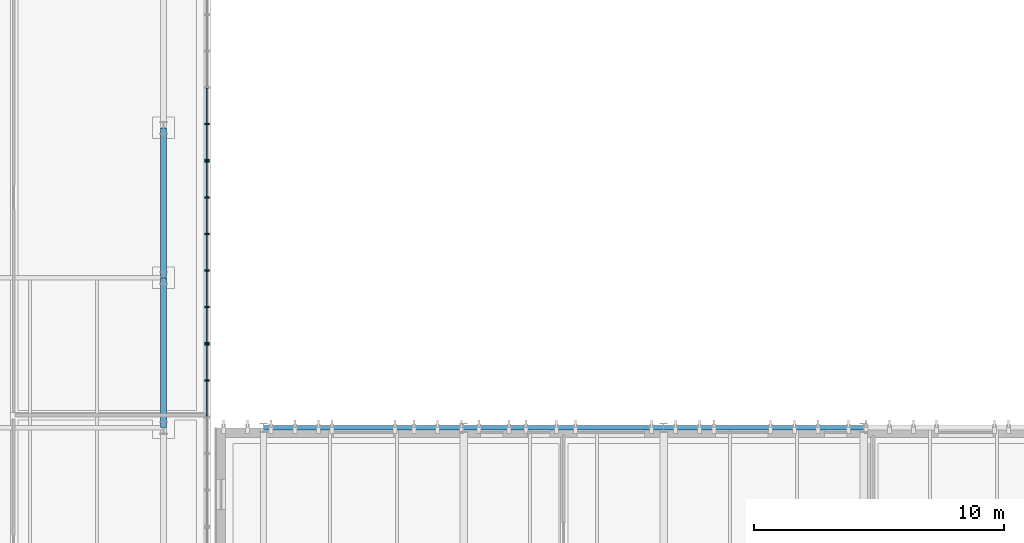
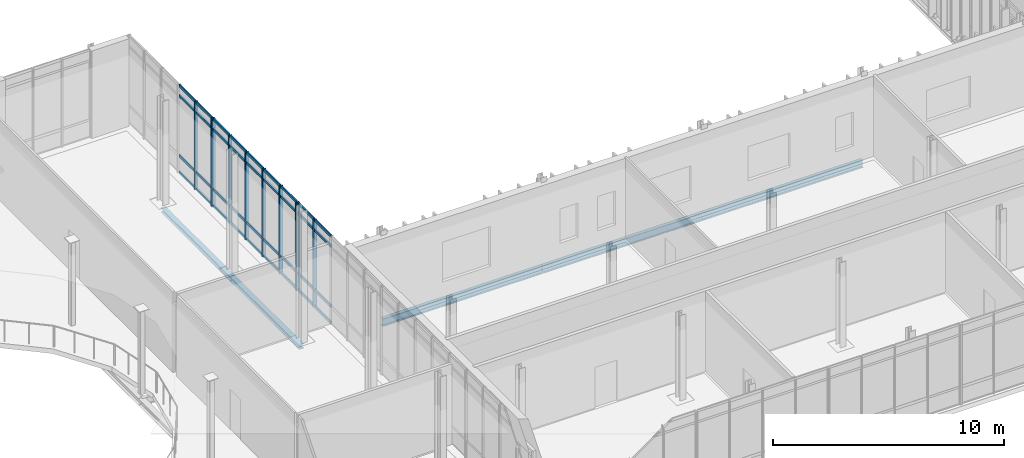
# One storey, part 28 of 86: 46 members, 5 beams, 3 elements without a shape of their own.
"""IFC4 building model written with IfcOpenShell, lengths in metres."""

from ifc_helpers import new_model, si_unit, direction, frame, origin, origin_2d, place, context, subcontext, project, spatial, rectangle, i_section, extrude, material, material_profile, profile_set, type_object, element, aggregate, save


model = new_model("IFC4")

# Units and contexts
model_context = context("Model", 3, precision=1e-05, world=origin(), true_north=direction((0.0, 1.0)))
body_context = subcontext(model_context, "Body", "Model", "MODEL_VIEW")
ifc_project = project(units=[si_unit("LENGTHUNIT", "METRE"), si_unit("AREAUNIT", "SQUARE_METRE"), si_unit("VOLUMEUNIT", "CUBIC_METRE"), si_unit("PLANEANGLEUNIT", "RADIAN"), si_unit("MASSUNIT", "GRAM", prefix="KILO")], contexts=[model_context])

# Site, building, storey
site_placement = place(None, origin())
site = spatial("IfcSite", under=ifc_project, at=site_placement, CompositionType="ELEMENT")
building_placement = place(site_placement, origin())
building = spatial("IfcBuilding", under=site, at=building_placement, Name="Cymarion Research Institute", CompositionType="ELEMENT")
storey_placement = place(building_placement, frame((0.0, 0.0, 13.800048828125)))
storey = spatial("IfcBuildingStorey", under=building, at=storey_placement, Name="L03", CompositionType="ELEMENT", Elevation=13.800048828125)

# Curtain wall, members
ifc_material_1 = material(Name="Anodised aluminium unitised curtain wall with Low-E glazing", Category="aluminium")
curtain_wall_type = type_object("IfcCurtainWallType", Name="UNITISED CURTAIN WALL CW28 7320X4620", PredefinedType="NOTDEFINED", material=ifc_material_1)
curtain_wall_1_placement = place(storey_placement, origin())
curtain_wall_1 = element("IfcCurtainWall", 1, at=curtain_wall_1_placement, inside=storey, type_object=curtain_wall_type, Name="L03 V2 unitised curtain wall CW28 #139", PredefinedType="NOTDEFINED")
ifc_material_2 = material(Name="Anodised aluminium framing", Category="aluminium")
ifc_material_profile_1 = material_profile(ifc_material_2, rectangle(XDim=0.06005859375, YDim=0.179931640625, at=origin_2d()), Name="ALU MULLION 60x180")
ifc_profile_set_1 = profile_set([ifc_material_profile_1], Name="Anodised aluminium framing")
member_type_1 = type_object("IfcMemberType", Name="CURTAIN WALL MULLION ML01 60X180", PredefinedType="MULLION", material=ifc_profile_set_1)
member_1_placement = place(storey_placement, frame((104.340087890625, 25.39599609375, 0.0), z_axis=(0.0, 0.0, 1.0), x_axis=(0.0, 1.0, 0.0)))
member_1 = element("IfcMember", 2, at=member_1_placement, type_object=member_type_1, Name="CW28 mullion 5", PredefinedType="MULLION", context=body_context, shape_type="SweptSolid", body=[
    extrude(rectangle(XDim=0.06005859375, YDim=0.179931640625, at=origin_2d()), origin(), (0.0, 0.0, 1.0), 4.619873046875),
])
member_2_placement = place(storey_placement, frame((104.340087890625, 26.830078125, 0.0), z_axis=(0.0, 0.0, 1.0), x_axis=(0.0, 1.0, 0.0)))
member_2 = element("IfcMember", 3, at=member_2_placement, type_object=member_type_1, Name="CW28 mullion 6", PredefinedType="MULLION", context=body_context, shape_type="SweptSolid", body=[
    extrude(rectangle(XDim=0.06005859375, YDim=0.179931640625, at=origin_2d()), origin(), (0.0, 0.0, 1.0), 4.619873046875),
])

curtain_wall_2_placement = place(storey_placement, origin())
curtain_wall_2 = element("IfcCurtainWall", 4, at=curtain_wall_2_placement, inside=storey, type_object=curtain_wall_type, Name="L03 V2 unitised curtain wall CW28 #140", PredefinedType="NOTDEFINED")
member_3_placement = place(storey_placement, frame((104.340087890625, 26.889892578125, 0.0), z_axis=(0.0, 0.0, 1.0), x_axis=(0.0, 1.0, 0.0)))
member_3 = element("IfcMember", 5, at=member_3_placement, type_object=member_type_1, Name="CW28 mullion 1", PredefinedType="MULLION", context=body_context, shape_type="SweptSolid", body=[
    extrude(rectangle(XDim=0.06005859375, YDim=0.179931640625, at=origin_2d()), origin(), (0.0, 0.0, 1.0), 4.619873046875),
])
member_4_placement = place(storey_placement, frame((104.340087890625, 28.323974609375, 0.0), z_axis=(0.0, 0.0, 1.0), x_axis=(0.0, 1.0, 0.0)))
member_4 = element("IfcMember", 6, at=member_4_placement, type_object=member_type_1, Name="CW28 mullion 2", PredefinedType="MULLION", context=body_context, shape_type="SweptSolid", body=[
    extrude(rectangle(XDim=0.06005859375, YDim=0.179931640625, at=origin_2d()), origin(), (0.0, 0.0, 1.0), 4.619873046875),
])
member_5_placement = place(storey_placement, frame((104.340087890625, 29.7880859375, 0.0), z_axis=(0.0, 0.0, 1.0), x_axis=(0.0, 1.0, 0.0)))
member_5 = element("IfcMember", 7, at=member_5_placement, type_object=member_type_1, Name="CW28 mullion 3", PredefinedType="MULLION", context=body_context, shape_type="SweptSolid", body=[
    extrude(rectangle(XDim=0.06005859375, YDim=0.179931640625, at=origin_2d()), origin(), (0.0, 0.0, 1.0), 4.619873046875),
])
member_6_placement = place(storey_placement, frame((104.340087890625, 31.251953125, 0.0), z_axis=(0.0, 0.0, 1.0), x_axis=(0.0, 1.0, 0.0)))
member_6 = element("IfcMember", 8, at=member_6_placement, type_object=member_type_1, Name="CW28 mullion 4", PredefinedType="MULLION", context=body_context, shape_type="SweptSolid", body=[
    extrude(rectangle(XDim=0.06005859375, YDim=0.179931640625, at=origin_2d()), origin(), (0.0, 0.0, 1.0), 4.619873046875),
])
member_7_placement = place(storey_placement, frame((104.340087890625, 32.716064453125, 0.0), z_axis=(0.0, 0.0, 1.0), x_axis=(0.0, 1.0, 0.0)))
member_7 = element("IfcMember", 9, at=member_7_placement, type_object=member_type_1, Name="CW28 mullion 5", PredefinedType="MULLION", context=body_context, shape_type="SweptSolid", body=[
    extrude(rectangle(XDim=0.06005859375, YDim=0.179931640625, at=origin_2d()), origin(), (0.0, 0.0, 1.0), 4.619873046875),
])
member_8_placement = place(storey_placement, frame((104.340087890625, 34.14990234375, 0.0), z_axis=(0.0, 0.0, 1.0), x_axis=(0.0, 1.0, 0.0)))
member_8 = element("IfcMember", 10, at=member_8_placement, type_object=member_type_1, Name="CW28 mullion 6", PredefinedType="MULLION", context=body_context, shape_type="SweptSolid", body=[
    extrude(rectangle(XDim=0.06005859375, YDim=0.179931640625, at=origin_2d()), origin(), (0.0, 0.0, 1.0), 4.619873046875),
])

curtain_wall_3_placement = place(storey_placement, origin())
curtain_wall_3 = element("IfcCurtainWall", 11, at=curtain_wall_3_placement, inside=storey, type_object=curtain_wall_type, Name="L03 V2 unitised curtain wall CW28 #141", PredefinedType="NOTDEFINED")
member_9_placement = place(storey_placement, frame((104.340087890625, 34.2099609375, 0.0), z_axis=(0.0, 0.0, 1.0), x_axis=(0.0, 1.0, 0.0)))
member_9 = element("IfcMember", 12, at=member_9_placement, type_object=member_type_1, Name="CW28 mullion 1", PredefinedType="MULLION", context=body_context, shape_type="SweptSolid", body=[
    extrude(rectangle(XDim=0.06005859375, YDim=0.179931640625, at=origin_2d()), origin(), (0.0, 0.0, 1.0), 4.619873046875),
])
member_10_placement = place(storey_placement, frame((104.340087890625, 35.64404296875, 0.0), z_axis=(0.0, 0.0, 1.0), x_axis=(0.0, 1.0, 0.0)))
member_10 = element("IfcMember", 13, at=member_10_placement, type_object=member_type_1, Name="CW28 mullion 2", PredefinedType="MULLION", context=body_context, shape_type="SweptSolid", body=[
    extrude(rectangle(XDim=0.06005859375, YDim=0.179931640625, at=origin_2d()), origin(), (0.0, 0.0, 1.0), 4.619873046875),
])

# Member
ifc_material_profile_2 = material_profile(ifc_material_2, rectangle(XDim=0.06005859375, YDim=0.14990234375, at=origin_2d()), Name="ALU TRANSOM 60x150")
ifc_profile_set_2 = profile_set([ifc_material_profile_2], Name="Anodised aluminium framing")
member_type_2 = type_object("IfcMemberType", Name="CURTAIN WALL TRANSOM TR01 60X150", PredefinedType="USERDEFINED", material=ifc_profile_set_2)
member_11_placement = place(storey_placement, frame((104.340087890625, 23.9619140625, 0.030029296875), z_axis=(0.0, 1.0, 0.0), x_axis=(-1.0, 0.0, 0.0)))
member_11 = element("IfcMember", 14, at=member_11_placement, type_object=member_type_2, Name="CW28 transom 4.1", ObjectType="TRANSOM", PredefinedType="USERDEFINED", context=body_context, shape_type="SweptSolid", body=[
    extrude(rectangle(XDim=0.06005859375, YDim=0.14990234375, at=origin_2d()), origin(), (0.0, 0.0, 1.0), 1.404052734375),
])

member_12_placement = place(storey_placement, frame((104.340087890625, 23.9619140625, 0.89990234375), z_axis=(0.0, 1.0, 0.0), x_axis=(-1.0, 0.0, 0.0)))
member_12 = element("IfcMember", 15, at=member_12_placement, type_object=member_type_2, Name="CW28 transom 4.2", ObjectType="TRANSOM", PredefinedType="USERDEFINED", context=body_context, shape_type="SweptSolid", body=[
    extrude(rectangle(XDim=0.06005859375, YDim=0.14990234375, at=origin_2d()), origin(), (0.0, 0.0, 1.0), 1.404052734375),
])

member_13_placement = place(storey_placement, frame((104.340087890625, 23.9619140625, 4.070068359375), z_axis=(0.0, 1.0, 0.0), x_axis=(-1.0, 0.0, 0.0)))
member_13 = element("IfcMember", 16, at=member_13_placement, type_object=member_type_2, Name="CW28 transom 4.3", ObjectType="TRANSOM", PredefinedType="USERDEFINED", context=body_context, shape_type="SweptSolid", body=[
    extrude(rectangle(XDim=0.06005859375, YDim=0.14990234375, at=origin_2d()), origin(), (0.0, 0.0, 1.0), 1.404052734375),
])

member_14_placement = place(storey_placement, frame((104.340087890625, 23.9619140625, 4.58984375), z_axis=(0.0, 1.0, 0.0), x_axis=(-1.0, 0.0, 0.0)))
member_14 = element("IfcMember", 17, at=member_14_placement, type_object=member_type_2, Name="CW28 transom 4.4", ObjectType="TRANSOM", PredefinedType="USERDEFINED", context=body_context, shape_type="SweptSolid", body=[
    extrude(rectangle(XDim=0.06005859375, YDim=0.14990234375, at=origin_2d()), origin(), (0.0, 0.0, 1.0), 1.404052734375),
])

member_15_placement = place(storey_placement, frame((104.340087890625, 25.426025390625, 0.030029296875), z_axis=(0.0, 1.0, 0.0), x_axis=(-1.0, 0.0, 0.0)))
member_15 = element("IfcMember", 18, at=member_15_placement, type_object=member_type_2, Name="CW28 transom 5.1", ObjectType="TRANSOM", PredefinedType="USERDEFINED", context=body_context, shape_type="SweptSolid", body=[
    extrude(rectangle(XDim=0.06005859375, YDim=0.14990234375, at=origin_2d()), origin(), (0.0, 0.0, 1.0), 1.3740234375),
])

member_16_placement = place(storey_placement, frame((104.340087890625, 25.426025390625, 0.89990234375), z_axis=(0.0, 1.0, 0.0), x_axis=(-1.0, 0.0, 0.0)))
member_16 = element("IfcMember", 19, at=member_16_placement, type_object=member_type_2, Name="CW28 transom 5.2", ObjectType="TRANSOM", PredefinedType="USERDEFINED", context=body_context, shape_type="SweptSolid", body=[
    extrude(rectangle(XDim=0.06005859375, YDim=0.14990234375, at=origin_2d()), origin(), (0.0, 0.0, 1.0), 1.3740234375),
])

member_17_placement = place(storey_placement, frame((104.340087890625, 25.426025390625, 4.070068359375), z_axis=(0.0, 1.0, 0.0), x_axis=(-1.0, 0.0, 0.0)))
member_17 = element("IfcMember", 20, at=member_17_placement, type_object=member_type_2, Name="CW28 transom 5.3", ObjectType="TRANSOM", PredefinedType="USERDEFINED", context=body_context, shape_type="SweptSolid", body=[
    extrude(rectangle(XDim=0.06005859375, YDim=0.14990234375, at=origin_2d()), origin(), (0.0, 0.0, 1.0), 1.3740234375),
])

member_18_placement = place(storey_placement, frame((104.340087890625, 25.426025390625, 4.58984375), z_axis=(0.0, 1.0, 0.0), x_axis=(-1.0, 0.0, 0.0)))
member_18 = element("IfcMember", 21, at=member_18_placement, type_object=member_type_2, Name="CW28 transom 5.4", ObjectType="TRANSOM", PredefinedType="USERDEFINED", context=body_context, shape_type="SweptSolid", body=[
    extrude(rectangle(XDim=0.06005859375, YDim=0.14990234375, at=origin_2d()), origin(), (0.0, 0.0, 1.0), 1.3740234375),
])

aggregate(curtain_wall_1, [member_1, member_2, member_11, member_12, member_13, member_14, member_15, member_16, member_17, member_18])

member_19_placement = place(storey_placement, frame((104.340087890625, 26.919921875, 0.030029296875), z_axis=(0.0, 1.0, 0.0), x_axis=(-1.0, 0.0, 0.0)))
member_19 = element("IfcMember", 22, at=member_19_placement, type_object=member_type_2, Name="CW28 transom 1.1", ObjectType="TRANSOM", PredefinedType="USERDEFINED", context=body_context, shape_type="SweptSolid", body=[
    extrude(rectangle(XDim=0.06005859375, YDim=0.14990234375, at=origin_2d()), origin(), (0.0, 0.0, 1.0), 1.3740234375),
])

member_20_placement = place(storey_placement, frame((104.340087890625, 26.919921875, 0.89990234375), z_axis=(0.0, 1.0, 0.0), x_axis=(-1.0, 0.0, 0.0)))
member_20 = element("IfcMember", 23, at=member_20_placement, type_object=member_type_2, Name="CW28 transom 1.2", ObjectType="TRANSOM", PredefinedType="USERDEFINED", context=body_context, shape_type="SweptSolid", body=[
    extrude(rectangle(XDim=0.06005859375, YDim=0.14990234375, at=origin_2d()), origin(), (0.0, 0.0, 1.0), 1.3740234375),
])

member_21_placement = place(storey_placement, frame((104.340087890625, 26.919921875, 4.070068359375), z_axis=(0.0, 1.0, 0.0), x_axis=(-1.0, 0.0, 0.0)))
member_21 = element("IfcMember", 24, at=member_21_placement, type_object=member_type_2, Name="CW28 transom 1.3", ObjectType="TRANSOM", PredefinedType="USERDEFINED", context=body_context, shape_type="SweptSolid", body=[
    extrude(rectangle(XDim=0.06005859375, YDim=0.14990234375, at=origin_2d()), origin(), (0.0, 0.0, 1.0), 1.3740234375),
])

member_22_placement = place(storey_placement, frame((104.340087890625, 26.919921875, 4.58984375), z_axis=(0.0, 1.0, 0.0), x_axis=(-1.0, 0.0, 0.0)))
member_22 = element("IfcMember", 25, at=member_22_placement, type_object=member_type_2, Name="CW28 transom 1.4", ObjectType="TRANSOM", PredefinedType="USERDEFINED", context=body_context, shape_type="SweptSolid", body=[
    extrude(rectangle(XDim=0.06005859375, YDim=0.14990234375, at=origin_2d()), origin(), (0.0, 0.0, 1.0), 1.3740234375),
])

member_23_placement = place(storey_placement, frame((104.340087890625, 28.35400390625, 0.030029296875), z_axis=(0.0, 1.0, 0.0), x_axis=(-1.0, 0.0, 0.0)))
member_23 = element("IfcMember", 26, at=member_23_placement, type_object=member_type_2, Name="CW28 transom 2.1", ObjectType="TRANSOM", PredefinedType="USERDEFINED", context=body_context, shape_type="SweptSolid", body=[
    extrude(rectangle(XDim=0.06005859375, YDim=0.14990234375, at=origin_2d()), origin(), (0.0, 0.0, 1.0), 1.404052734375),
])

member_24_placement = place(storey_placement, frame((104.340087890625, 28.35400390625, 0.89990234375), z_axis=(0.0, 1.0, 0.0), x_axis=(-1.0, 0.0, 0.0)))
member_24 = element("IfcMember", 27, at=member_24_placement, type_object=member_type_2, Name="CW28 transom 2.2", ObjectType="TRANSOM", PredefinedType="USERDEFINED", context=body_context, shape_type="SweptSolid", body=[
    extrude(rectangle(XDim=0.06005859375, YDim=0.14990234375, at=origin_2d()), origin(), (0.0, 0.0, 1.0), 1.404052734375),
])

member_25_placement = place(storey_placement, frame((104.340087890625, 28.35400390625, 4.070068359375), z_axis=(0.0, 1.0, 0.0), x_axis=(-1.0, 0.0, 0.0)))
member_25 = element("IfcMember", 28, at=member_25_placement, type_object=member_type_2, Name="CW28 transom 2.3", ObjectType="TRANSOM", PredefinedType="USERDEFINED", context=body_context, shape_type="SweptSolid", body=[
    extrude(rectangle(XDim=0.06005859375, YDim=0.14990234375, at=origin_2d()), origin(), (0.0, 0.0, 1.0), 1.404052734375),
])

member_26_placement = place(storey_placement, frame((104.340087890625, 28.35400390625, 4.58984375), z_axis=(0.0, 1.0, 0.0), x_axis=(-1.0, 0.0, 0.0)))
member_26 = element("IfcMember", 29, at=member_26_placement, type_object=member_type_2, Name="CW28 transom 2.4", ObjectType="TRANSOM", PredefinedType="USERDEFINED", context=body_context, shape_type="SweptSolid", body=[
    extrude(rectangle(XDim=0.06005859375, YDim=0.14990234375, at=origin_2d()), origin(), (0.0, 0.0, 1.0), 1.404052734375),
])

member_27_placement = place(storey_placement, frame((104.340087890625, 29.818115234375, 0.030029296875), z_axis=(0.0, 1.0, 0.0), x_axis=(-1.0, 0.0, 0.0)))
member_27 = element("IfcMember", 30, at=member_27_placement, type_object=member_type_2, Name="CW28 transom 3.1", ObjectType="TRANSOM", PredefinedType="USERDEFINED", context=body_context, shape_type="SweptSolid", body=[
    extrude(rectangle(XDim=0.06005859375, YDim=0.14990234375, at=origin_2d()), origin(), (0.0, 0.0, 1.0), 1.40380859375),
])

member_28_placement = place(storey_placement, frame((104.340087890625, 29.818115234375, 0.89990234375), z_axis=(0.0, 1.0, 0.0), x_axis=(-1.0, 0.0, 0.0)))
member_28 = element("IfcMember", 31, at=member_28_placement, type_object=member_type_2, Name="CW28 transom 3.2", ObjectType="TRANSOM", PredefinedType="USERDEFINED", context=body_context, shape_type="SweptSolid", body=[
    extrude(rectangle(XDim=0.06005859375, YDim=0.14990234375, at=origin_2d()), origin(), (0.0, 0.0, 1.0), 1.40380859375),
])

member_29_placement = place(storey_placement, frame((104.340087890625, 29.818115234375, 4.070068359375), z_axis=(0.0, 1.0, 0.0), x_axis=(-1.0, 0.0, 0.0)))
member_29 = element("IfcMember", 32, at=member_29_placement, type_object=member_type_2, Name="CW28 transom 3.3", ObjectType="TRANSOM", PredefinedType="USERDEFINED", context=body_context, shape_type="SweptSolid", body=[
    extrude(rectangle(XDim=0.06005859375, YDim=0.14990234375, at=origin_2d()), origin(), (0.0, 0.0, 1.0), 1.40380859375),
])

member_30_placement = place(storey_placement, frame((104.340087890625, 29.818115234375, 4.58984375), z_axis=(0.0, 1.0, 0.0), x_axis=(-1.0, 0.0, 0.0)))
member_30 = element("IfcMember", 33, at=member_30_placement, type_object=member_type_2, Name="CW28 transom 3.4", ObjectType="TRANSOM", PredefinedType="USERDEFINED", context=body_context, shape_type="SweptSolid", body=[
    extrude(rectangle(XDim=0.06005859375, YDim=0.14990234375, at=origin_2d()), origin(), (0.0, 0.0, 1.0), 1.40380859375),
])

member_31_placement = place(storey_placement, frame((104.340087890625, 31.281982421875, 0.030029296875), z_axis=(0.0, 1.0, 0.0), x_axis=(-1.0, 0.0, 0.0)))
member_31 = element("IfcMember", 34, at=member_31_placement, type_object=member_type_2, Name="CW28 transom 4.1", ObjectType="TRANSOM", PredefinedType="USERDEFINED", context=body_context, shape_type="SweptSolid", body=[
    extrude(rectangle(XDim=0.06005859375, YDim=0.14990234375, at=origin_2d()), origin(), (0.0, 0.0, 1.0), 1.404052734375),
])

member_32_placement = place(storey_placement, frame((104.340087890625, 31.281982421875, 0.89990234375), z_axis=(0.0, 1.0, 0.0), x_axis=(-1.0, 0.0, 0.0)))
member_32 = element("IfcMember", 35, at=member_32_placement, type_object=member_type_2, Name="CW28 transom 4.2", ObjectType="TRANSOM", PredefinedType="USERDEFINED", context=body_context, shape_type="SweptSolid", body=[
    extrude(rectangle(XDim=0.06005859375, YDim=0.14990234375, at=origin_2d()), origin(), (0.0, 0.0, 1.0), 1.404052734375),
])

member_33_placement = place(storey_placement, frame((104.340087890625, 31.281982421875, 4.070068359375), z_axis=(0.0, 1.0, 0.0), x_axis=(-1.0, 0.0, 0.0)))
member_33 = element("IfcMember", 36, at=member_33_placement, type_object=member_type_2, Name="CW28 transom 4.3", ObjectType="TRANSOM", PredefinedType="USERDEFINED", context=body_context, shape_type="SweptSolid", body=[
    extrude(rectangle(XDim=0.06005859375, YDim=0.14990234375, at=origin_2d()), origin(), (0.0, 0.0, 1.0), 1.404052734375),
])

member_34_placement = place(storey_placement, frame((104.340087890625, 31.281982421875, 4.58984375), z_axis=(0.0, 1.0, 0.0), x_axis=(-1.0, 0.0, 0.0)))
member_34 = element("IfcMember", 37, at=member_34_placement, type_object=member_type_2, Name="CW28 transom 4.4", ObjectType="TRANSOM", PredefinedType="USERDEFINED", context=body_context, shape_type="SweptSolid", body=[
    extrude(rectangle(XDim=0.06005859375, YDim=0.14990234375, at=origin_2d()), origin(), (0.0, 0.0, 1.0), 1.404052734375),
])

member_35_placement = place(storey_placement, frame((104.340087890625, 32.74609375, 0.030029296875), z_axis=(0.0, 1.0, 0.0), x_axis=(-1.0, 0.0, 0.0)))
member_35 = element("IfcMember", 38, at=member_35_placement, type_object=member_type_2, Name="CW28 transom 5.1", ObjectType="TRANSOM", PredefinedType="USERDEFINED", context=body_context, shape_type="SweptSolid", body=[
    extrude(rectangle(XDim=0.06005859375, YDim=0.14990234375, at=origin_2d()), origin(), (0.0, 0.0, 1.0), 1.3740234375),
])

member_36_placement = place(storey_placement, frame((104.340087890625, 32.74609375, 0.89990234375), z_axis=(0.0, 1.0, 0.0), x_axis=(-1.0, 0.0, 0.0)))
member_36 = element("IfcMember", 39, at=member_36_placement, type_object=member_type_2, Name="CW28 transom 5.2", ObjectType="TRANSOM", PredefinedType="USERDEFINED", context=body_context, shape_type="SweptSolid", body=[
    extrude(rectangle(XDim=0.06005859375, YDim=0.14990234375, at=origin_2d()), origin(), (0.0, 0.0, 1.0), 1.3740234375),
])

member_37_placement = place(storey_placement, frame((104.340087890625, 32.74609375, 4.070068359375), z_axis=(0.0, 1.0, 0.0), x_axis=(-1.0, 0.0, 0.0)))
member_37 = element("IfcMember", 40, at=member_37_placement, type_object=member_type_2, Name="CW28 transom 5.3", ObjectType="TRANSOM", PredefinedType="USERDEFINED", context=body_context, shape_type="SweptSolid", body=[
    extrude(rectangle(XDim=0.06005859375, YDim=0.14990234375, at=origin_2d()), origin(), (0.0, 0.0, 1.0), 1.3740234375),
])

member_38_placement = place(storey_placement, frame((104.340087890625, 32.74609375, 4.58984375), z_axis=(0.0, 1.0, 0.0), x_axis=(-1.0, 0.0, 0.0)))
member_38 = element("IfcMember", 41, at=member_38_placement, type_object=member_type_2, Name="CW28 transom 5.4", ObjectType="TRANSOM", PredefinedType="USERDEFINED", context=body_context, shape_type="SweptSolid", body=[
    extrude(rectangle(XDim=0.06005859375, YDim=0.14990234375, at=origin_2d()), origin(), (0.0, 0.0, 1.0), 1.3740234375),
])

aggregate(curtain_wall_2, [member_3, member_4, member_5, member_6, member_7, member_8, member_19, member_20, member_21, member_22, member_23, member_24, member_25, member_26, member_27, member_28, member_29, member_30, member_31, member_32, member_33, member_34, member_35, member_36, member_37, member_38])

member_39_placement = place(storey_placement, frame((104.340087890625, 34.239990234375, 0.030029296875), z_axis=(0.0, 1.0, 0.0), x_axis=(-1.0, 0.0, 0.0)))
member_39 = element("IfcMember", 42, at=member_39_placement, type_object=member_type_2, Name="CW28 transom 1.1", ObjectType="TRANSOM", PredefinedType="USERDEFINED", context=body_context, shape_type="SweptSolid", body=[
    extrude(rectangle(XDim=0.06005859375, YDim=0.14990234375, at=origin_2d()), origin(), (0.0, 0.0, 1.0), 1.3740234375),
])

member_40_placement = place(storey_placement, frame((104.340087890625, 34.239990234375, 0.89990234375), z_axis=(0.0, 1.0, 0.0), x_axis=(-1.0, 0.0, 0.0)))
member_40 = element("IfcMember", 43, at=member_40_placement, type_object=member_type_2, Name="CW28 transom 1.2", ObjectType="TRANSOM", PredefinedType="USERDEFINED", context=body_context, shape_type="SweptSolid", body=[
    extrude(rectangle(XDim=0.06005859375, YDim=0.14990234375, at=origin_2d()), origin(), (0.0, 0.0, 1.0), 1.3740234375),
])

member_41_placement = place(storey_placement, frame((104.340087890625, 34.239990234375, 4.070068359375), z_axis=(0.0, 1.0, 0.0), x_axis=(-1.0, 0.0, 0.0)))
member_41 = element("IfcMember", 44, at=member_41_placement, type_object=member_type_2, Name="CW28 transom 1.3", ObjectType="TRANSOM", PredefinedType="USERDEFINED", context=body_context, shape_type="SweptSolid", body=[
    extrude(rectangle(XDim=0.06005859375, YDim=0.14990234375, at=origin_2d()), origin(), (0.0, 0.0, 1.0), 1.3740234375),
])

member_42_placement = place(storey_placement, frame((104.340087890625, 34.239990234375, 4.58984375), z_axis=(0.0, 1.0, 0.0), x_axis=(-1.0, 0.0, 0.0)))
member_42 = element("IfcMember", 45, at=member_42_placement, type_object=member_type_2, Name="CW28 transom 1.4", ObjectType="TRANSOM", PredefinedType="USERDEFINED", context=body_context, shape_type="SweptSolid", body=[
    extrude(rectangle(XDim=0.06005859375, YDim=0.14990234375, at=origin_2d()), origin(), (0.0, 0.0, 1.0), 1.3740234375),
])

member_43_placement = place(storey_placement, frame((104.340087890625, 35.674072265625, 0.030029296875), z_axis=(0.0, 1.0, 0.0), x_axis=(-1.0, 0.0, 0.0)))
member_43 = element("IfcMember", 46, at=member_43_placement, type_object=member_type_2, Name="CW28 transom 2.1", ObjectType="TRANSOM", PredefinedType="USERDEFINED", context=body_context, shape_type="SweptSolid", body=[
    extrude(rectangle(XDim=0.06005859375, YDim=0.14990234375, at=origin_2d()), origin(), (0.0, 0.0, 1.0), 1.40380859375),
])

member_44_placement = place(storey_placement, frame((104.340087890625, 35.674072265625, 0.89990234375), z_axis=(0.0, 1.0, 0.0), x_axis=(-1.0, 0.0, 0.0)))
member_44 = element("IfcMember", 47, at=member_44_placement, type_object=member_type_2, Name="CW28 transom 2.2", ObjectType="TRANSOM", PredefinedType="USERDEFINED", context=body_context, shape_type="SweptSolid", body=[
    extrude(rectangle(XDim=0.06005859375, YDim=0.14990234375, at=origin_2d()), origin(), (0.0, 0.0, 1.0), 1.40380859375),
])

member_45_placement = place(storey_placement, frame((104.340087890625, 35.674072265625, 4.070068359375), z_axis=(0.0, 1.0, 0.0), x_axis=(-1.0, 0.0, 0.0)))
member_45 = element("IfcMember", 48, at=member_45_placement, type_object=member_type_2, Name="CW28 transom 2.3", ObjectType="TRANSOM", PredefinedType="USERDEFINED", context=body_context, shape_type="SweptSolid", body=[
    extrude(rectangle(XDim=0.06005859375, YDim=0.14990234375, at=origin_2d()), origin(), (0.0, 0.0, 1.0), 1.40380859375),
])

member_46_placement = place(storey_placement, frame((104.340087890625, 35.674072265625, 4.58984375), z_axis=(0.0, 1.0, 0.0), x_axis=(-1.0, 0.0, 0.0)))
member_46 = element("IfcMember", 49, at=member_46_placement, type_object=member_type_2, Name="CW28 transom 2.4", ObjectType="TRANSOM", PredefinedType="USERDEFINED", context=body_context, shape_type="SweptSolid", body=[
    extrude(rectangle(XDim=0.06005859375, YDim=0.14990234375, at=origin_2d()), origin(), (0.0, 0.0, 1.0), 1.40380859375),
])

aggregate(curtain_wall_3, [member_9, member_10, member_39, member_40, member_41, member_42, member_43, member_44, member_45, member_46])

# Beams
ifc_material_3 = material(Name="Steel S355", Category="steel")
ifc_material_profile_3 = material_profile(ifc_material_3, i_section(OverallWidth=0.179931640625, OverallDepth=0.39990234375, WebThickness=0.008544921875, FlangeThickness=0.013427734375, FilletRadius=0.02099609375, at=origin_2d()), Name="IPE 400")
ifc_profile_set_3 = profile_set([ifc_material_profile_3], Name="Steel S355")
beam_type_1 = type_object("IfcBeamType", Name="PRIMARY GIRDER BM05 IPE 400", PredefinedType="BEAM", material=ifc_profile_set_3)
for number, where, z_axis, x_axis, name in (
    (50, (106.60595703125, 23.5, -0.449951171875), (1.0, 0.0, 0.0), (0.0, 1.0, 0.0), "L03 V1 girder BM05 #1184"),
    (51, (114.60595703125, 23.5, -0.449951171875), (1.0, 0.0, 0.0), (0.0, 1.0, 0.0), "L03 V1 girder BM05 #1185"),
    (52, (122.60595703125, 23.5, -0.449951171875), (1.0, 0.0, 0.0), (0.0, 1.0, 0.0), "L03 V1 girder BM05 #1186"),
):
    element("IfcBeam", number, at=place(storey_placement, frame(where, z_axis=z_axis, x_axis=x_axis)), inside=storey, type_object=beam_type_1, Name=name, PredefinedType="BEAM", context=body_context, shape_type="SweptSolid", body=[
        extrude(i_section(OverallWidth=0.179931640625, OverallDepth=0.39990234375, WebThickness=0.008544921875, FlangeThickness=0.013427734375, FilletRadius=0.02099609375, at=origin_2d()), origin(), (0.0, 0.0, 1.0), 7.988037109375),
    ])
ifc_material_profile_4 = material_profile(ifc_material_3, i_section(OverallWidth=0.239990234375, OverallDepth=0.22998046875, WebThickness=0.007568359375, FlangeThickness=0.011962890625, FilletRadius=0.02099609375, at=origin_2d()), Name="HEA 240")
ifc_profile_set_4 = profile_set([ifc_material_profile_4], Name="Steel S355")
beam_type_2 = type_object("IfcBeamType", Name="SPANDREL BEAM SPB03 HEA 240", PredefinedType="SPANDREL", material=ifc_profile_set_4)
for number, where, z_axis, x_axis, name in (
    (53, (102.60009765625, 23.506103515625, -0.364990234375), (0.0, 1.0, 0.0), (-1.0, 0.0, 0.0), "L03 V2 girder SPB03 #1334"),
    (54, (102.60009765625, 29.506103515625, -0.364990234375), (0.0, 1.0, 0.0), (-1.0, 0.0, 0.0), "L03 V2 girder SPB03 #1335"),
):
    element("IfcBeam", number, at=place(storey_placement, frame(where, z_axis=z_axis, x_axis=x_axis)), inside=storey, type_object=beam_type_2, Name=name, PredefinedType="SPANDREL", context=body_context, shape_type="SweptSolid", body=[
        extrude(i_section(OverallWidth=0.239990234375, OverallDepth=0.22998046875, WebThickness=0.007568359375, FlangeThickness=0.011962890625, FilletRadius=0.02099609375, at=origin_2d()), origin(), (0.0, 0.0, 1.0), 5.98779296875),
    ])

save(model, "model.ifc")
